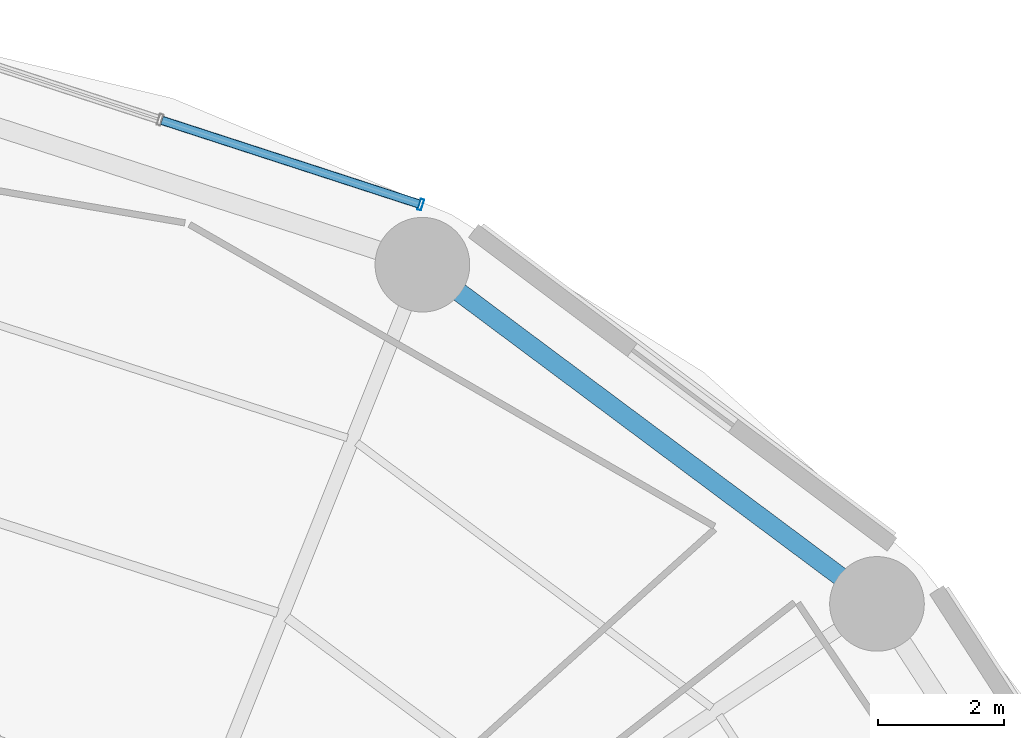
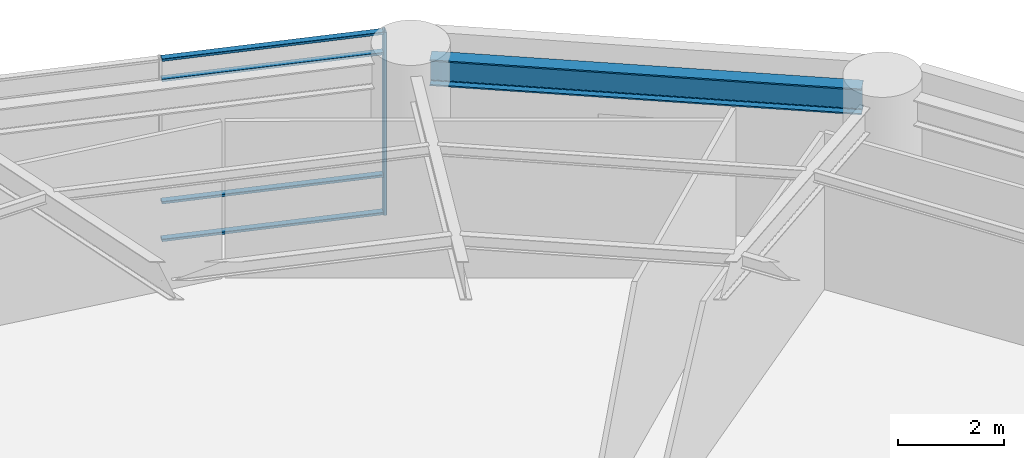
# One storey, part 31 of 46: 5 members, 1 beam, 1 element without a shape of its own.
"""IFC4 building model written with IfcOpenShell, lengths in metres."""

from ifc_helpers import new_model, si_unit, direction, frame, origin, origin_2d, place, context, subcontext, project, spatial, hollow_rectangle, i_section, extrude, material, layer, layer_set, material_profile, profile_set, type_object, element, aggregate, save


model = new_model("IFC4")

# Units and contexts
model_context = context("Model", 3, precision=1e-05, world=origin(), true_north=direction((0.0, 1.0)))
body_context = subcontext(model_context, "Body", "Model", "MODEL_VIEW")
ifc_project = project(units=[si_unit("LENGTHUNIT", "METRE"), si_unit("AREAUNIT", "SQUARE_METRE"), si_unit("VOLUMEUNIT", "CUBIC_METRE"), si_unit("PLANEANGLEUNIT", "RADIAN"), si_unit("MASSUNIT", "GRAM", prefix="KILO")], contexts=[model_context])

# Site, building, storey
site_placement = place(None, origin())
site = spatial("IfcSite", under=ifc_project, at=site_placement, CompositionType="ELEMENT")
building_placement = place(site_placement, origin())
building = spatial("IfcBuilding", under=site, at=building_placement, Name="Kelanora Arch Commons", CompositionType="ELEMENT")
storey_placement = place(building_placement, frame((0.0, 0.0, 18.0)))
storey = spatial("IfcBuildingStorey", under=building, at=storey_placement, Name="L04", CompositionType="ELEMENT", Elevation=18.0)

# Beam
ifc_material_1 = material(Name="Steel S355", Category="steel")
ifc_material_profile_1 = material_profile(ifc_material_1, i_section(OverallWidth=0.300048828125, OverallDepth=0.60009765625, WebThickness=0.015380859375, FlangeThickness=0.030029296875, FilletRadius=0.027099609375, at=origin_2d()), Name="HEB600")
ifc_profile_set_1 = profile_set([ifc_material_profile_1], Name="Steel S355")
beam_type = type_object("IfcBeamType", Name="BM-SPN-Z1", PredefinedType="SPANDREL", material=ifc_profile_set_1)
beam_placement = place(storey_placement, frame((94.43994140625, 73.70556640625, 3.93994140625), z_axis=(-0.801482139897, 0.598018711601, 0.0), x_axis=(-0.598018711601, -0.801482139897, 0.0)))
element("IfcBeam", 1, at=beam_placement, inside=storey, type_object=beam_type, Name="Perimeter Spandrel Beam BS-04 L04", PredefinedType="SPANDREL", context=body_context, shape_type="SweptSolid", body=[
    extrude(i_section(OverallWidth=0.300048828125, OverallDepth=0.60009765625, WebThickness=0.015380859375, FlangeThickness=0.030029296875, FilletRadius=0.027099609375, at=origin_2d()), origin(), (0.0, 0.0, 1.0), 8.22900390625),
])

# Curtain wall, members
ifc_material_2 = material(Name="Terracotta ceramic-fritted low-E glass and aluminium", Category="masonry")
ifc_layer = layer(ifc_material_2, 0.2099609375)
ifc_layer_set = layer_set([ifc_layer], Name="Terracotta ceramic-fritted low-E glass and aluminium")
curtain_wall_type = type_object("IfcCurtainWallType", Name="CW-SYS-04", PredefinedType="NOTDEFINED", material=ifc_layer_set)
curtain_wall_placement = place(storey_placement, origin())
curtain_wall = element("IfcCurtainWall", 2, at=curtain_wall_placement, inside=storey, type_object=curtain_wall_type, Name="Unitised Curtain Wall L04-B03", PredefinedType="NOTDEFINED")
ifc_material_3 = material(Name="Powder-coated aluminium terracotta", Category="masonry")
ifc_material_profile_2 = material_profile(ifc_material_3, hollow_rectangle(XDim=0.179931640625, YDim=0.06005859375, WallThickness=0.0048828125, InnerFilletRadius=0.0048828125, OuterFilletRadius=0.010009765625, at=origin_2d()), Name="CWM180x60")
ifc_profile_set_2 = profile_set([ifc_material_profile_2], Name="Powder-coated aluminium terracotta")
member_type_1 = type_object("IfcMemberType", Name="CWM-HVY", PredefinedType="MULLION", material=ifc_profile_set_2)
member_1_placement = place(storey_placement, frame((87.51513671875, 79.80810546875, 0.0), z_axis=(0.0, 0.0, 1.0), x_axis=(-0.309069531911, -0.951039444211, 0.0)))
member_1 = element("IfcMember", 3, at=member_1_placement, type_object=member_type_1, Name="CW-04 mullion 1", PredefinedType="MULLION", context=body_context, shape_type="SweptSolid", body=[
    extrude(hollow_rectangle(XDim=0.179931640625, YDim=0.06005859375, WallThickness=0.0048828125, InnerFilletRadius=0.0048828125, OuterFilletRadius=0.010009765625, at=origin_2d()), origin(), (0.0, 0.0, 1.0), 4.22509765625),
])
ifc_material_profile_3 = material_profile(ifc_material_3, hollow_rectangle(XDim=0.139892578125, YDim=0.06005859375, WallThickness=0.0048828125, InnerFilletRadius=0.0048828125, OuterFilletRadius=0.010009765625, at=origin_2d()), Name="CWT140x60")
ifc_profile_set_3 = profile_set([ifc_material_profile_3], Name="Powder-coated aluminium terracotta")
member_type_2 = type_object("IfcMemberType", Name="CWT-HVY", PredefinedType="USERDEFINED", material=ifc_profile_set_3)
member_2_placement = place(storey_placement, frame((87.486572265625, 79.8173828125, 0.030029296875), z_axis=(-0.951038256166, 0.309073187624, 0.0), x_axis=(-0.309073187624, -0.951038256166, 0.0)))
member_2 = element("IfcMember", 4, at=member_2_placement, type_object=member_type_2, Name="CW-04 transom 1.1", ObjectType="TRANSOM", PredefinedType="USERDEFINED", context=body_context, shape_type="SweptSolid", body=[
    extrude(hollow_rectangle(XDim=0.139892578125, YDim=0.06005859375, WallThickness=0.0048828125, InnerFilletRadius=0.0048828125, OuterFilletRadius=0.010009765625, at=origin_2d()), origin(), (0.0, 0.0, 1.0), 4.284423828125),
])
member_3_placement = place(storey_placement, frame((87.486572265625, 79.8173828125, 0.89990234375), z_axis=(-0.951038256166, 0.309073187624, 0.0), x_axis=(-0.309073187624, -0.951038256166, 0.0)))
member_3 = element("IfcMember", 5, at=member_3_placement, type_object=member_type_2, Name="CW-04 transom 1.2", ObjectType="TRANSOM", PredefinedType="USERDEFINED", context=body_context, shape_type="SweptSolid", body=[
    extrude(hollow_rectangle(XDim=0.139892578125, YDim=0.06005859375, WallThickness=0.0048828125, InnerFilletRadius=0.0048828125, OuterFilletRadius=0.010009765625, at=origin_2d()), origin(), (0.0, 0.0, 1.0), 4.284423828125),
])
member_4_placement = place(storey_placement, frame((87.486572265625, 79.8173828125, 3.72509765625), z_axis=(-0.951038256166, 0.309073187624, 0.0), x_axis=(-0.309073187624, -0.951038256166, 0.0)))
member_4 = element("IfcMember", 6, at=member_4_placement, type_object=member_type_2, Name="CW-04 transom 1.3", ObjectType="TRANSOM", PredefinedType="USERDEFINED", context=body_context, shape_type="SweptSolid", body=[
    extrude(hollow_rectangle(XDim=0.139892578125, YDim=0.06005859375, WallThickness=0.0048828125, InnerFilletRadius=0.0048828125, OuterFilletRadius=0.010009765625, at=origin_2d()), origin(), (0.0, 0.0, 1.0), 4.284423828125),
])
member_5_placement = place(storey_placement, frame((87.486572265625, 79.8173828125, 4.195068359375), z_axis=(-0.951038256166, 0.309073187624, 0.0), x_axis=(-0.309073187624, -0.951038256166, 0.0)))
member_5 = element("IfcMember", 7, at=member_5_placement, type_object=member_type_2, Name="CW-04 transom 1.4", ObjectType="TRANSOM", PredefinedType="USERDEFINED", context=body_context, shape_type="SweptSolid", body=[
    extrude(hollow_rectangle(XDim=0.139892578125, YDim=0.06005859375, WallThickness=0.0048828125, InnerFilletRadius=0.0048828125, OuterFilletRadius=0.010009765625, at=origin_2d()), origin(), (0.0, 0.0, 1.0), 4.284423828125),
])
aggregate(curtain_wall, [member_1, member_2, member_3, member_4, member_5])

save(model, "model.ifc")
